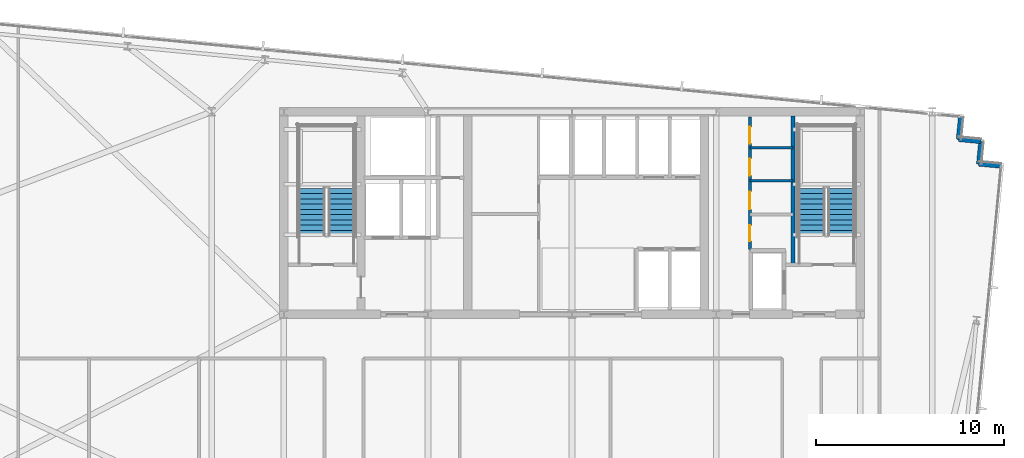
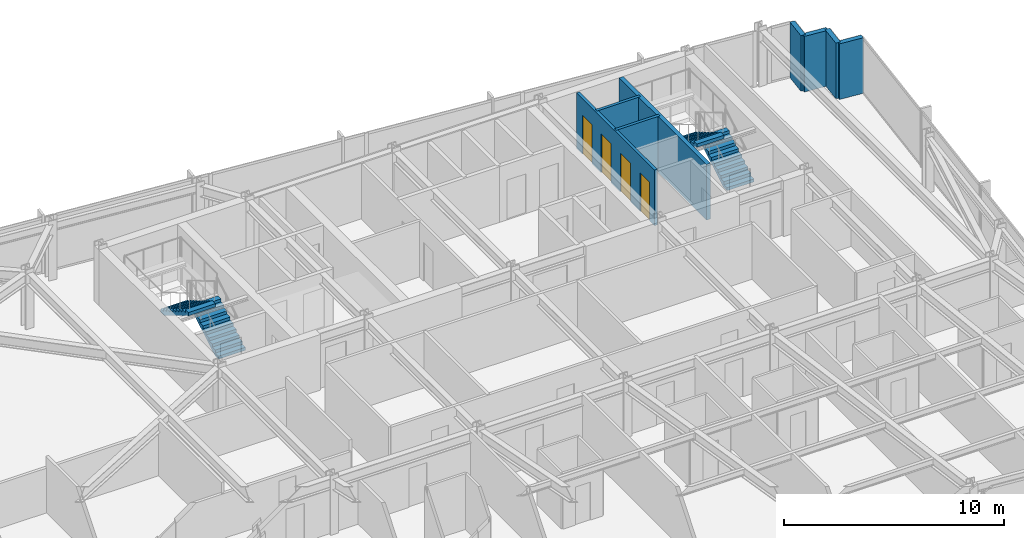
# One storey, part 32 of 38: 8 walls, 4 doors, 4 stair flights, 4 openings, 2 elements without a shape of their own.
"""IFC4 building model written with IfcOpenShell, lengths in metres."""

from ifc_helpers import new_model, si_unit, direction, frame, frame_2d, origin, place, context, subcontext, project, spatial, polyline, rectangle, outline, extrude, material, layer, layer_set, type_object, element, fill, aggregate, save


model = new_model("IFC4")

# Units and contexts
model_context = context("Model", 3, precision=1e-05, world=origin(), true_north=direction((0.0, 1.0)))
body_context = subcontext(model_context, "Body", "Model", "MODEL_VIEW")
ifc_project = project(units=[si_unit("LENGTHUNIT", "METRE"), si_unit("AREAUNIT", "SQUARE_METRE"), si_unit("VOLUMEUNIT", "CUBIC_METRE"), si_unit("PLANEANGLEUNIT", "RADIAN"), si_unit("MASSUNIT", "GRAM", prefix="KILO")], contexts=[model_context])

# Site, building, storey
site_placement = place(None, origin())
site = spatial("IfcSite", under=ifc_project, at=site_placement, CompositionType="ELEMENT")
building_placement = place(site_placement, origin())
building = spatial("IfcBuilding", under=site, at=building_placement, Name="Yelkora Congress Tower", CompositionType="ELEMENT")
storey_placement = place(building_placement, frame((0.0, 0.0, 155.60009765625)))
storey = spatial("IfcBuildingStorey", under=building, at=storey_placement, Name="L42", CompositionType="ELEMENT", Elevation=155.60009765625)

# Walls
ifc_material_1 = material(Name="Concrete C50/60", Category="concrete")
ifc_layer_1 = layer(ifc_material_1, 0.219970703125)
ifc_layer_set_1 = layer_set([ifc_layer_1], Name="Concrete C50/60")
wall_type_1 = type_object("IfcWallType", Name="WALL-CORE-INT-220", PredefinedType="SHEAR", material=ifc_layer_set_1)
wall_1_placement = place(storey_placement, frame((50.179931640625, 38.050048828125, 0.0), z_axis=(0.0, 0.0, 1.0), x_axis=(0.0, 1.0, 0.0)))
element("IfcWall", 1, at=wall_1_placement, inside=storey, type_object=wall_type_1, Name="L42 ST02 West Stair Shear Wall", PredefinedType="SHEAR", context=body_context, shape_type="SweptSolid", body=[
    extrude(rectangle(XDim=7.925048828125, YDim=0.219970703125, at=frame_2d((3.96240234375, 0.0))), origin(), (0.0, 0.0, 1.0), 3.079833984375),
])
ifc_material_2 = material(Name="Concrete C40/50", Category="concrete")
ifc_layer_2 = layer(ifc_material_2, 0.239990234375)
ifc_layer_set_2 = layer_set([ifc_layer_2], Name="Concrete C40/50")
wall_type_2 = type_object("IfcWallType", Name="WALL-EXT-LIMESTONE-240", PredefinedType="SOLIDWALL", material=ifc_layer_set_2)
for number, where, z_axis, x_axis, name in (
    (2, (59.108642578125, 45.923095703125, 0.0), (0.0, 0.0, 1.0), (-0.095817067274, -0.995398960025, 0.0), "L42 Serrated Corner Limestone Pier 11"),
    (3, (58.99365234375, 44.728515625, 0.0), (0.0, 0.0, 1.0), (0.995398960025, -0.095817067274, 0.0), "L42 Serrated Corner Limestone Pier 12"),
    (4, (60.188232421875, 44.613525390625, 0.0), (0.0, 0.0, 1.0), (-0.096018626938, -0.995379537303, 0.0), "L42 Serrated Corner Limestone Pier 13"),
    (5, (60.072998046875, 43.4189453125, 0.0), (0.0, 0.0, 1.0), (0.995398960025, -0.095817067274, 0.0), "L42 Serrated Corner Limestone Pier 14"),
):
    element("IfcWall", number, at=place(storey_placement, frame(where, z_axis=z_axis, x_axis=x_axis)), inside=storey, type_object=wall_type_2, Name=name, PredefinedType="SOLIDWALL", context=body_context, shape_type="SweptSolid", body=[
        extrude(rectangle(XDim=1.2001953125, YDim=0.239990234375, at=frame_2d((0.60009765625, 0.0))), origin(), (0.0, 0.0, 1.0), 3.079833984375),
    ])
ifc_material_3 = material(Name="Acoustic metal-stud gypsum partition", Category="gypsum")
ifc_layer_3 = layer(ifc_material_3, 0.14990234375)
ifc_layer_set_3 = layer_set([ifc_layer_3], Name="Acoustic metal-stud gypsum partition")
wall_type_3 = type_object("IfcWallType", Name="WALL-INT-150-NR", PredefinedType="PARTITIONING", material=ifc_layer_set_3)
for number, where, z_axis, x_axis, name in (
    (6, (47.8798828125, 42.52001953125, 0.0), (0.0, 0.0, 1.0), (1.0, 0.0, 0.0), "L42 Partition Wall 25"),
    (7, (47.8798828125, 44.280029296875, 0.0), (0.0, 0.0, 1.0), (1.0, 0.0, 0.0), "L42 Partition Wall 26"),
):
    element("IfcWall", number, at=place(storey_placement, frame(where, z_axis=z_axis, x_axis=x_axis)), inside=storey, type_object=wall_type_3, Name=name, PredefinedType="PARTITIONING", context=body_context, shape_type="SweptSolid", body=[
        extrude(rectangle(XDim=2.300048828125, YDim=0.14990234375, at=frame_2d((1.14990234375, 0.0))), origin(), (0.0, 0.0, 1.0), 3.079833984375),
    ])

# Wall, openings, doors
wall_2_placement = place(storey_placement, frame((47.8798828125, 38.85009765625, 0.0), z_axis=(0.0, 0.0, 1.0), x_axis=(0.0, 1.0, 0.0)))
wall_2 = element("IfcWall", 8, at=wall_2_placement, inside=storey, type_object=wall_type_3, Name="L42 Partition Wall 27", PredefinedType="PARTITIONING", context=body_context, shape_type="SweptSolid", body=[
    extrude(rectangle(XDim=7.06982421875, YDim=0.14990234375, at=frame_2d((3.534912109375, 0.0))), origin(), (0.0, 0.0, 1.0), 3.079833984375),
])
opening_1_placement = place(wall_2_placement, frame((0.449951171875, 0.0, 0.0)))
opening_1 = element("IfcOpeningElement", 9, at=opening_1_placement, cuts=wall_2, Name="Opening DR-085N", PredefinedType="OPENING", context=body_context, shape_type="SweptSolid", body=[
    extrude(rectangle(XDim=0.85009765625, YDim=2.14990234375, at=frame_2d((0.425048828125, 1.074951171875))), frame((0.0, 0.0849609375, 0.0), z_axis=(0.0, -1.0, 0.0), x_axis=(1.0, 0.0, 0.0)), (0.0, 0.0, 1.0), 0.169921875),
])
opening_2_placement = place(wall_2_placement, frame((2.14990234375, 0.0, 0.0)))
opening_2 = element("IfcOpeningElement", 10, at=opening_2_placement, cuts=wall_2, Name="Opening DR-095N", PredefinedType="OPENING", context=body_context, shape_type="SweptSolid", body=[
    extrude(rectangle(XDim=0.949951171875, YDim=2.14990234375, at=frame_2d((0.47509765625, 1.074951171875))), frame((0.0, 0.0849609375, 0.0), z_axis=(0.0, -1.0, 0.0), x_axis=(1.0, 0.0, 0.0)), (0.0, 0.0, 1.0), 0.169921875),
])
opening_3_placement = place(wall_2_placement, frame((3.949951171875, 0.0, 0.0)))
opening_3 = element("IfcOpeningElement", 11, at=opening_3_placement, cuts=wall_2, Name="Opening DR-090N", PredefinedType="OPENING", context=body_context, shape_type="SweptSolid", body=[
    extrude(rectangle(XDim=0.89990234375, YDim=2.14990234375, at=frame_2d((0.449951171875, 1.074951171875))), frame((0.0, 0.0849609375, 0.0), z_axis=(0.0, -1.0, 0.0), x_axis=(1.0, 0.0, 0.0)), (0.0, 0.0, 1.0), 0.169921875),
])
opening_4_placement = place(wall_2_placement, frame((5.64990234375, 0.0, 0.0)))
opening_4 = element("IfcOpeningElement", 12, at=opening_4_placement, cuts=wall_2, Name="Opening DR-090N", PredefinedType="OPENING", context=body_context, shape_type="SweptSolid", body=[
    extrude(rectangle(XDim=0.89990234375, YDim=2.14990234375, at=frame_2d((0.449951171875, 1.074951171875))), frame((0.0, 0.0849609375, 0.0), z_axis=(0.0, -1.0, 0.0), x_axis=(1.0, 0.0, 0.0)), (0.0, 0.0, 1.0), 0.169921875),
])
ifc_material_4 = material(Name="Laminate service store door leaf", Category="wood")
door_type_1 = type_object("IfcDoorType", Name="DOOR-INT-850", OperationType="NOTDEFINED", PredefinedType="DOOR", material=ifc_material_4)
door_1_placement = place(opening_1_placement, origin())
door_1 = element("IfcDoor", 13, at=door_1_placement, inside=storey, type_object=door_type_1, Name="L42 Janitor Room Door", OperationType="SINGLE_SWING_RIGHT", OverallHeight=2.14990234375, OverallWidth=0.85009765625, PredefinedType="DOOR", context=body_context, shape_type="SweptSolid", body=[
    extrude(rectangle(XDim=0.85009765625, YDim=2.14990234375, at=frame_2d((0.425048828125, 1.074951171875))), frame((0.0, 0.02490234375, 0.0), z_axis=(0.0, -1.0, 0.0), x_axis=(1.0, 0.0, 0.0)), (0.0, 0.0, 1.0), 0.050048828125),
])
fill(opening_1, door_1)
ifc_material_5 = material(Name="Moisture-resistant laminate door leaf", Category="wood")
door_type_2 = type_object("IfcDoorType", Name="DOOR-INT-900", OperationType="NOTDEFINED", PredefinedType="DOOR", material=ifc_material_5)
door_2_placement = place(opening_3_placement, origin())
door_2 = element("IfcDoor", 14, at=door_2_placement, inside=storey, type_object=door_type_2, Name="L42 Male WC Door", OperationType="SINGLE_SWING_RIGHT", OverallHeight=2.14990234375, OverallWidth=0.89990234375, PredefinedType="DOOR", context=body_context, shape_type="SweptSolid", body=[
    extrude(rectangle(XDim=0.89990234375, YDim=2.14990234375, at=frame_2d((0.449951171875, 1.074951171875))), frame((0.0, 0.02490234375, 0.0), z_axis=(0.0, -1.0, 0.0), x_axis=(1.0, 0.0, 0.0)), (0.0, 0.0, 1.0), 0.050048828125),
])
fill(opening_3, door_2)
door_3_placement = place(opening_4_placement, origin())
door_3 = element("IfcDoor", 15, at=door_3_placement, inside=storey, type_object=door_type_2, Name="L42 Female WC Door", OperationType="SINGLE_SWING_LEFT", OverallHeight=2.14990234375, OverallWidth=0.89990234375, PredefinedType="DOOR", context=body_context, shape_type="SweptSolid", body=[
    extrude(rectangle(XDim=0.89990234375, YDim=2.14990234375, at=frame_2d((0.449951171875, 1.074951171875))), frame((0.0, 0.02490234375, 0.0), z_axis=(0.0, -1.0, 0.0), x_axis=(1.0, 0.0, 0.0)), (0.0, 0.0, 1.0), 0.050048828125),
])
fill(opening_4, door_3)
ifc_material_6 = material(Name="Acoustic laminated timber office door", Category="wood")
door_type_3 = type_object("IfcDoorType", Name="DOOR-INT-950", OperationType="NOTDEFINED", PredefinedType="DOOR", material=ifc_material_6)
door_4_placement = place(opening_2_placement, origin())
door_4 = element("IfcDoor", 16, at=door_4_placement, inside=storey, type_object=door_type_3, Name="L42 Accessible WC Door", OperationType="SINGLE_SWING_LEFT", OverallHeight=2.14990234375, OverallWidth=0.949951171875, PredefinedType="DOOR", context=body_context, shape_type="SweptSolid", body=[
    extrude(rectangle(XDim=0.949951171875, YDim=2.14990234375, at=frame_2d((0.47509765625, 1.074951171875))), frame((0.0, 0.02490234375, 0.0), z_axis=(0.0, -1.0, 0.0), x_axis=(1.0, 0.0, 0.0)), (0.0, 0.0, 1.0), 0.050048828125),
])
fill(opening_2, door_4)

# Stair, stair flights
stair_type = type_object("IfcStairType", Name="STAIR-HT-1420-R20-165", PredefinedType="HALF_TURN_STAIR", material=ifc_material_2)
stair_1_placement = place(storey_placement, origin())
stair_1 = element("IfcStair", 17, at=stair_1_placement, inside=storey, type_object=stair_type, Name="West Core Protected Exit Stair ST-01 (L42)", PredefinedType="HALF_TURN_STAIR")
stair_flight_type = type_object("IfcStairFlightType", Name="FLIGHT-1420-N10-R165-G280", PredefinedType="STRAIGHT", material=ifc_material_2)
stair_flight_1_placement = place(storey_placement, frame((26.110107421875, 39.60009765625, 0.0), z_axis=(0.0, 0.0, 1.0), x_axis=(0.0, 1.0, 0.0)))
stair_flight_1 = element("IfcStairFlight", 18, at=stair_flight_1_placement, type_object=stair_flight_type, Name="ST-01 L42 Flight 1", NumberOfRisers=10, NumberOfTreads=9, PredefinedType="STRAIGHT", RiserHeight=0.165, TreadLength=0.28, context=body_context, shape_type="SweptSolid", body=[
    extrude(outline(polyline([(0.0, 0.0), (0.0, 0.1650390625), (0.280029296875, 0.1650390625), (0.280029296875, 0.330078125), (0.56005859375, 0.330078125), (0.56005859375, 0.4951171875), (0.840087890625, 0.4951171875), (0.840087890625, 0.659912109375), (1.1201171875, 0.659912109375), (1.1201171875, 0.824951171875), (1.39990234375, 0.824951171875), (1.39990234375, 0.989990234375), (1.679931640625, 0.989990234375), (1.679931640625, 1.155029296875), (1.9599609375, 1.155029296875), (1.9599609375, 1.320068359375), (2.239990234375, 1.320068359375), (2.239990234375, 1.485107421875), (2.52001953125, 1.485107421875), (2.52001953125, 1.64990234375), (2.52001953125, 1.29931640625), (0.31494140625, 0.0), (0.0, 0.0)])), frame((0.0, 0.7099609375, 0.0), z_axis=(0.0, -1.0, 0.0), x_axis=(1.0, 0.0, 0.0)), (0.0, 0.0, 1.0), 1.419921875),
])
stair_flight_2_placement = place(storey_placement, frame((24.530029296875, 42.1201171875, 1.64990234375), z_axis=(0.0, 0.0, 1.0), x_axis=(0.0, -1.0, 0.0)))
stair_flight_2 = element("IfcStairFlight", 19, at=stair_flight_2_placement, type_object=stair_flight_type, Name="ST-01 L42 Flight 2", NumberOfRisers=10, NumberOfTreads=9, PredefinedType="STRAIGHT", RiserHeight=0.165, TreadLength=0.28, context=body_context, shape_type="SweptSolid", body=[
    extrude(outline(polyline([(0.0, 0.0), (0.0, 0.1650390625), (0.280029296875, 0.1650390625), (0.280029296875, 0.330078125), (0.56005859375, 0.330078125), (0.56005859375, 0.4951171875), (0.840087890625, 0.4951171875), (0.840087890625, 0.659912109375), (1.1201171875, 0.659912109375), (1.1201171875, 0.824951171875), (1.39990234375, 0.824951171875), (1.39990234375, 0.989990234375), (1.679931640625, 0.989990234375), (1.679931640625, 1.155029296875), (1.9599609375, 1.155029296875), (1.9599609375, 1.320068359375), (2.239990234375, 1.320068359375), (2.239990234375, 1.485107421875), (2.52001953125, 1.485107421875), (2.52001953125, 1.64990234375), (2.52001953125, 1.29931640625), (0.31494140625, 0.0), (0.0, 0.0)])), frame((0.0, 0.7099609375, 0.0), z_axis=(0.0, -1.0, 0.0), x_axis=(1.0, 0.0, 0.0)), (0.0, 0.0, 1.0), 1.419921875),
])
aggregate(stair_1, [stair_flight_1, stair_flight_2])

stair_2_placement = place(storey_placement, origin())
stair_2 = element("IfcStair", 20, at=stair_2_placement, inside=storey, type_object=stair_type, Name="East Core Protected Exit Stair ST-02 (L42)", PredefinedType="HALF_TURN_STAIR")
stair_flight_3_placement = place(storey_placement, frame((52.75, 39.60009765625, 0.0), z_axis=(0.0, 0.0, 1.0), x_axis=(0.0, 1.0, 0.0)))
stair_flight_3 = element("IfcStairFlight", 21, at=stair_flight_3_placement, type_object=stair_flight_type, Name="ST-02 L42 Flight 1", NumberOfRisers=10, NumberOfTreads=9, PredefinedType="STRAIGHT", RiserHeight=0.165, TreadLength=0.28, context=body_context, shape_type="SweptSolid", body=[
    extrude(outline(polyline([(0.0, 0.0), (0.0, 0.1650390625), (0.280029296875, 0.1650390625), (0.280029296875, 0.330078125), (0.56005859375, 0.330078125), (0.56005859375, 0.4951171875), (0.840087890625, 0.4951171875), (0.840087890625, 0.659912109375), (1.1201171875, 0.659912109375), (1.1201171875, 0.824951171875), (1.39990234375, 0.824951171875), (1.39990234375, 0.989990234375), (1.679931640625, 0.989990234375), (1.679931640625, 1.155029296875), (1.9599609375, 1.155029296875), (1.9599609375, 1.320068359375), (2.239990234375, 1.320068359375), (2.239990234375, 1.485107421875), (2.52001953125, 1.485107421875), (2.52001953125, 1.64990234375), (2.52001953125, 1.29931640625), (0.31494140625, 0.0), (0.0, 0.0)])), frame((0.0, 0.7099609375, 0.0), z_axis=(0.0, -1.0, 0.0), x_axis=(1.0, 0.0, 0.0)), (0.0, 0.0, 1.0), 1.419921875),
])
stair_flight_4_placement = place(storey_placement, frame((51.169921875, 42.1201171875, 1.64990234375), z_axis=(0.0, 0.0, 1.0), x_axis=(0.0, -1.0, 0.0)))
stair_flight_4 = element("IfcStairFlight", 22, at=stair_flight_4_placement, type_object=stair_flight_type, Name="ST-02 L42 Flight 2", NumberOfRisers=10, NumberOfTreads=9, PredefinedType="STRAIGHT", RiserHeight=0.165, TreadLength=0.28, context=body_context, shape_type="SweptSolid", body=[
    extrude(outline(polyline([(0.0, 0.0), (0.0, 0.1650390625), (0.280029296875, 0.1650390625), (0.280029296875, 0.330078125), (0.56005859375, 0.330078125), (0.56005859375, 0.4951171875), (0.840087890625, 0.4951171875), (0.840087890625, 0.659912109375), (1.1201171875, 0.659912109375), (1.1201171875, 0.824951171875), (1.39990234375, 0.824951171875), (1.39990234375, 0.989990234375), (1.679931640625, 0.989990234375), (1.679931640625, 1.155029296875), (1.9599609375, 1.155029296875), (1.9599609375, 1.320068359375), (2.239990234375, 1.320068359375), (2.239990234375, 1.485107421875), (2.52001953125, 1.485107421875), (2.52001953125, 1.64990234375), (2.52001953125, 1.29931640625), (0.31494140625, 0.0), (0.0, 0.0)])), frame((0.0, 0.7099609375, 0.0), z_axis=(0.0, -1.0, 0.0), x_axis=(1.0, 0.0, 0.0)), (0.0, 0.0, 1.0), 1.419921875),
])
aggregate(stair_2, [stair_flight_3, stair_flight_4])

save(model, "model.ifc")
